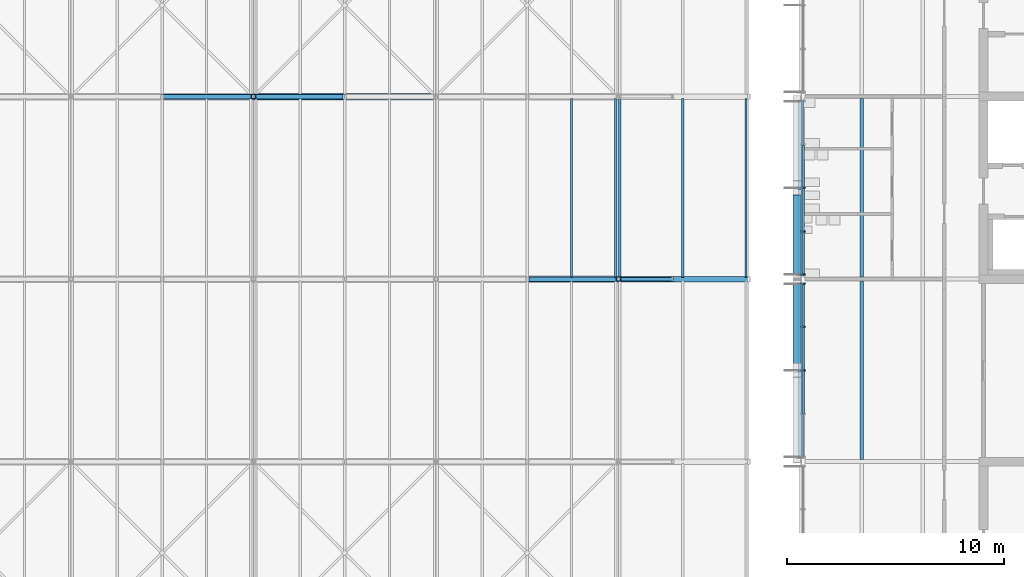
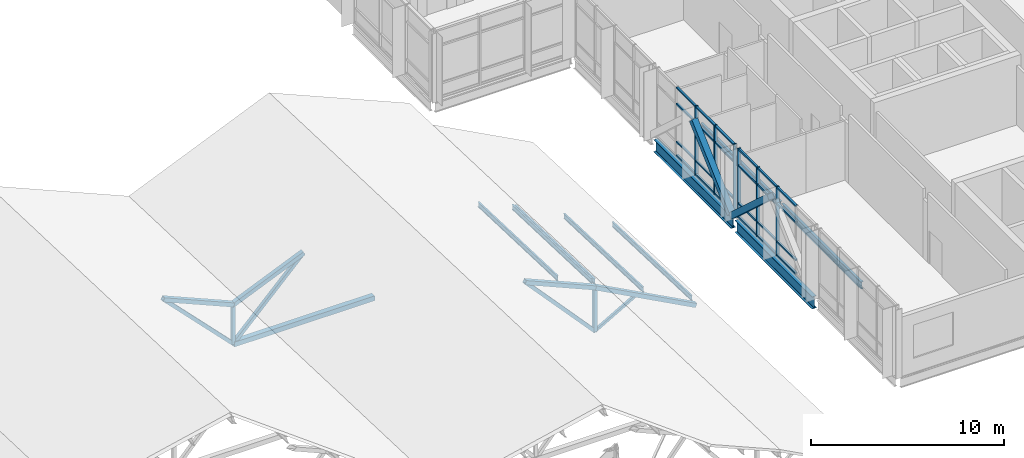
# One storey, part 16 of 76: 38 members, 14 beams, 2 elements without a shape of their own.
"""IFC4 building model written with IfcOpenShell, lengths in metres."""

from ifc_helpers import new_model, si_unit, direction, frame, origin, origin_2d, place, context, subcontext, project, spatial, rectangle, hollow_rectangle, i_section, extrude, material, material_profile, profile_set, type_object, element, aggregate, save


model = new_model("IFC4")

# Units and contexts
model_context = context("Model", 3, precision=1e-05, world=origin(), true_north=direction((0.0, 1.0)))
body_context = subcontext(model_context, "Body", "Model", "MODEL_VIEW")
ifc_project = project(units=[si_unit("LENGTHUNIT", "METRE"), si_unit("AREAUNIT", "SQUARE_METRE"), si_unit("VOLUMEUNIT", "CUBIC_METRE"), si_unit("PLANEANGLEUNIT", "RADIAN"), si_unit("MASSUNIT", "GRAM", prefix="KILO")], contexts=[model_context])

# Site, building, storey
site_placement = place(None, origin())
site = spatial("IfcSite", under=ifc_project, at=site_placement, CompositionType="ELEMENT")
building_placement = place(site_placement, origin())
building = spatial("IfcBuilding", under=site, at=building_placement, Name="Hlaing Beacon Police Headquarters", CompositionType="ELEMENT")
storey_placement = place(building_placement, frame((0.0, 0.0, 18.89990234375)))
storey = spatial("IfcBuildingStorey", under=building, at=storey_placement, Name="L04", CompositionType="ELEMENT", Elevation=18.89990234375)

# Members
ifc_material_1 = material(Name="Steel ASTM A500 Grade C", Category="steel")
ifc_material_profile_1 = material_profile(ifc_material_1, hollow_rectangle(XDim=0.355712890625, YDim=0.355712890625, WallThickness=0.015869140625, at=origin_2d()), Name="HSS14x14x5/8")
ifc_profile_set_1 = profile_set([ifc_material_profile_1], Name="Steel ASTM A500 Grade C")
member_type_1 = type_object("IfcMemberType", Name="Chevron brace HSS14x14x5/8", PredefinedType="BRACE", material=ifc_profile_set_1)
for number, where, z_axis, x_axis, name in (
    (1, (100.6181640625, 50.326904296875, 0.131103515625), (0.0, -0.738446730342, 0.674311816927), (1.0, 0.0, 0.0), "STR-BR-L04-N6b"),
    (2, (100.6181640625, 50.472900390625, 0.131103515625), (0.0, 0.738446730342, 0.674311816927), (-1.0, 0.0, 0.0), "STR-BR-L04-N7a"),
):
    element("IfcMember", number, at=place(storey_placement, frame(where, z_axis=z_axis, x_axis=x_axis)), inside=storey, type_object=member_type_1, Name=name, PredefinedType="BRACE", context=body_context, shape_type="SweptSolid", body=[
        extrude(hollow_rectangle(XDim=0.355712890625, YDim=0.355712890625, WallThickness=0.015869140625, at=origin_2d()), origin(), (0.0, 0.0, 1.0), 5.31787109375),
    ])
ifc_material_2 = material(Name="Steel ASTM A500 Grade C", Category="steel")
ifc_material_profile_2 = material_profile(ifc_material_2, hollow_rectangle(XDim=0.15234375, YDim=0.15234375, WallThickness=0.0126953125, at=origin_2d()), Name="HSS6x6x1/2")
ifc_profile_set_2 = profile_set([ifc_material_profile_2], Name="Steel ASTM A500 Grade C")
member_type_2 = type_object("IfcMemberType", Name="Eave strut HSS6x6x1/2", PredefinedType="BRACE", material=ifc_profile_set_2)
member_1_placement = place(storey_placement, frame((92.39990234375, 50.39990234375, -4.347412109375), z_axis=(0.866540389944, 0.0, 0.499106955067), x_axis=(0.0, 1.0, 0.0)))
element("IfcMember", 3, at=member_1_placement, inside=storey, type_object=member_type_2, Name="STR-RT-V1-T3-ST02", PredefinedType="BRACE", context=body_context, shape_type="SweptSolid", body=[
    extrude(hollow_rectangle(XDim=0.15234375, YDim=0.15234375, WallThickness=0.0126953125, at=origin_2d()), origin(), (0.0, 0.0, 1.0), 2.885009765625),
])

# Beams
ifc_material_3 = material(Name="Steel ASTM A992 Grade 50", Category="steel")
ifc_material_profile_3 = material_profile(ifc_material_3, i_section(OverallWidth=0.2666015625, OverallDepth=0.761962890625, WebThickness=0.014404296875, FlangeThickness=0.021484375, FilletRadius=0.0166015625, at=origin_2d()), Name="W30x116")
ifc_profile_set_3 = profile_set([ifc_material_profile_3], Name="Steel ASTM A992 Grade 50")
beam_type_1 = type_object("IfcBeamType", Name="Girder W30x116", PredefinedType="BEAM", material=ifc_profile_set_3)
beam_1_placement = place(storey_placement, frame((100.800048828125, 42.19091796875, -0.510986328125), z_axis=(0.0, 1.0, 0.0), x_axis=(-1.0, 0.0, 0.0)))
element("IfcBeam", 4, at=beam_1_placement, inside=storey, type_object=beam_type_1, Name="STR-BM-L04-GY-N6-N7", PredefinedType="BEAM", context=body_context, shape_type="SweptSolid", body=[
    extrude(i_section(OverallWidth=0.2666015625, OverallDepth=0.761962890625, WebThickness=0.014404296875, FlangeThickness=0.021484375, FilletRadius=0.0166015625, at=origin_2d()), origin(), (0.0, 0.0, 1.0), 8.01806640625),
])
beam_2_placement = place(storey_placement, frame((100.800048828125, 50.590087890625, -0.510986328125), z_axis=(0.0, 1.0, 0.0), x_axis=(-1.0, 0.0, 0.0)))
element("IfcBeam", 5, at=beam_2_placement, inside=storey, type_object=beam_type_1, Name="STR-BM-L04-GY-N7-N8", PredefinedType="BEAM", context=body_context, shape_type="SweptSolid", body=[
    extrude(i_section(OverallWidth=0.2666015625, OverallDepth=0.761962890625, WebThickness=0.014404296875, FlangeThickness=0.021484375, FilletRadius=0.0166015625, at=origin_2d()), origin(), (0.0, 0.0, 1.0), 8.018798828125),
])

# Curtain wall, members
ifc_material_4 = material(Name="Aluminium frame with solar control glazing", Category="aluminium")
curtain_wall_type = type_object("IfcCurtainWallType", Name="Unitised curtain wall 8.02 x 4.37", PredefinedType="NOTDEFINED", material=ifc_material_4)
curtain_wall_1_placement = place(storey_placement, origin())
curtain_wall_1 = element("IfcCurtainWall", 6, at=curtain_wall_1_placement, inside=storey, type_object=curtain_wall_type, Name="ENV-CW-L04-W020", PredefinedType="NOTDEFINED")
ifc_material_5 = material(Name="Aluminium", Category="aluminium")
ifc_material_profile_4 = material_profile(ifc_material_5, rectangle(XDim=0.199951171875, YDim=0.06005859375, at=origin_2d()), Name="Mullion 60x200")
ifc_profile_set_4 = profile_set([ifc_material_profile_4], Name="Aluminium")
member_type_3 = type_object("IfcMemberType", Name="Mullion 60x200", PredefinedType="MULLION", material=ifc_profile_set_4)
member_2_placement = place(storey_placement, frame((100.89990234375, 54.60009765625, 0.0), z_axis=(0.0, 0.0, 1.0), x_axis=(1.0, 0.0, 0.0)))
member_2 = element("IfcMember", 7, at=member_2_placement, type_object=member_type_3, Name="CW-L04-W020 mullion 3", PredefinedType="MULLION", context=body_context, shape_type="SweptSolid", body=[
    extrude(rectangle(XDim=0.199951171875, YDim=0.06005859375, at=origin_2d()), origin(), (0.0, 0.0, 1.0), 4.3701171875),
])
member_3_placement = place(storey_placement, frame((100.89990234375, 52.593994140625, 0.0), z_axis=(0.0, 0.0, 1.0), x_axis=(1.0, 0.0, 0.0)))
member_3 = element("IfcMember", 8, at=member_3_placement, type_object=member_type_3, Name="CW-L04-W020 mullion 4", PredefinedType="MULLION", context=body_context, shape_type="SweptSolid", body=[
    extrude(rectangle(XDim=0.199951171875, YDim=0.06005859375, at=origin_2d()), origin(), (0.0, 0.0, 1.0), 4.3701171875),
])
member_4_placement = place(storey_placement, frame((100.89990234375, 50.617919921875, 0.0), z_axis=(0.0, 0.0, 1.0), x_axis=(1.0, 0.0, 0.0)))
member_4 = element("IfcMember", 9, at=member_4_placement, type_object=member_type_3, Name="CW-L04-W020 mullion 5", PredefinedType="MULLION", context=body_context, shape_type="SweptSolid", body=[
    extrude(rectangle(XDim=0.199951171875, YDim=0.06005859375, at=origin_2d()), origin(), (0.0, 0.0, 1.0), 4.3701171875),
])

curtain_wall_2_placement = place(storey_placement, origin())
curtain_wall_2 = element("IfcCurtainWall", 10, at=curtain_wall_2_placement, inside=storey, type_object=curtain_wall_type, Name="ENV-CW-L04-W021", PredefinedType="NOTDEFINED")
member_5_placement = place(storey_placement, frame((100.89990234375, 50.181884765625, 0.0), z_axis=(0.0, 0.0, 1.0), x_axis=(1.0, 0.0, 0.0)))
member_5 = element("IfcMember", 11, at=member_5_placement, type_object=member_type_3, Name="CW-L04-W021 mullion 1", PredefinedType="MULLION", context=body_context, shape_type="SweptSolid", body=[
    extrude(rectangle(XDim=0.199951171875, YDim=0.06005859375, at=origin_2d()), origin(), (0.0, 0.0, 1.0), 4.3701171875),
])
member_6_placement = place(storey_placement, frame((100.89990234375, 48.2060546875, 0.0), z_axis=(0.0, 0.0, 1.0), x_axis=(1.0, 0.0, 0.0)))
member_6 = element("IfcMember", 12, at=member_6_placement, type_object=member_type_3, Name="CW-L04-W021 mullion 2", PredefinedType="MULLION", context=body_context, shape_type="SweptSolid", body=[
    extrude(rectangle(XDim=0.199951171875, YDim=0.06005859375, at=origin_2d()), origin(), (0.0, 0.0, 1.0), 4.3701171875),
])
member_7_placement = place(storey_placement, frame((100.89990234375, 46.199951171875, 0.0), z_axis=(0.0, 0.0, 1.0), x_axis=(1.0, 0.0, 0.0)))
member_7 = element("IfcMember", 13, at=member_7_placement, type_object=member_type_3, Name="CW-L04-W021 mullion 3", PredefinedType="MULLION", context=body_context, shape_type="SweptSolid", body=[
    extrude(rectangle(XDim=0.199951171875, YDim=0.06005859375, at=origin_2d()), origin(), (0.0, 0.0, 1.0), 4.3701171875),
])

# Beams
ifc_material_6 = material(Name="Steel ASTM A992 Grade 50", Category="steel")
ifc_material_profile_5 = material_profile(ifc_material_6, i_section(OverallWidth=0.102294921875, OverallDepth=0.3125, WebThickness=0.006591796875, FlangeThickness=0.0107421875, FilletRadius=0.007568359375, at=origin_2d()), Name="W12x22")
ifc_profile_set_5 = profile_set([ifc_material_profile_5], Name="Steel ASTM A992 Grade 50")
beam_type_2 = type_object("IfcBeamType", Name="Roof purlin W12x22", PredefinedType="BEAM", material=ifc_profile_set_5)
for number, where, z_axis, x_axis, name in (
    (14, (90.239990234375, 50.490478515625, -0.319091796875), (0.0, 0.999362135643, -0.035711648572), (-1.0, 0.0, 0.0), "STR-RT-V1-PR-R5-04-3"),
    (15, (92.27978515625, 50.490478515625, -1.193359375), (0.0, 0.999362135643, -0.035711648572), (-1.0, 0.0, 0.0), "STR-RT-V1-PR-R5-05-3"),
    (16, (92.461181640625, 50.490478515625, -1.28955078125), (0.0, 0.999362135643, -0.035711648572), (-1.0, 0.0, 0.0), "STR-RT-V1-PR-R6-01-3"),
    (17, (95.36474609375, 50.490478515625, -2.838134765625), (0.0, 0.999362135643, -0.035711648572), (-1.0, 0.0, 0.0), "STR-RT-V1-PR-R6-02-3"),
    (18, (98.268310546875, 50.490478515625, -4.38671875), (0.0, 0.999362135643, -0.035711648572), (-1.0, 0.0, 0.0), "STR-RT-V1-PR-R6-03-3"),
):
    element("IfcBeam", number, at=place(storey_placement, frame(where, z_axis=z_axis, x_axis=x_axis)), inside=storey, type_object=beam_type_2, Name=name, PredefinedType="BEAM", context=body_context, shape_type="SweptSolid", body=[
        extrude(i_section(OverallWidth=0.102294921875, OverallDepth=0.3125, WebThickness=0.006591796875, FlangeThickness=0.0107421875, FilletRadius=0.007568359375, at=origin_2d()), origin(), (0.0, 0.0, 1.0), 8.22412109375),
    ])
ifc_material_7 = material(Name="Steel ASTM A992 Grade 50", Category="steel")
ifc_material_profile_6 = material_profile(ifc_material_7, i_section(OverallWidth=0.15234375, OverallDepth=0.449462890625, WebThickness=0.007568359375, FlangeThickness=0.0107421875, FilletRadius=0.01025390625, at=origin_2d()), Name="W18x35")
ifc_profile_set_6 = profile_set([ifc_material_profile_6], Name="Steel ASTM A992 Grade 50")
beam_type_3 = type_object("IfcBeamType", Name="Secondary beam W18x35", PredefinedType="BEAM", material=ifc_profile_set_6)
for number, where, z_axis, x_axis, name in (
    (19, (103.60009765625, 42.089111328125, -0.354736328125), (0.0, 1.0, 0.0), (-1.0, 0.0, 0.0), "STR-BM-L04-SB-N6-y1"),
    (20, (103.60009765625, 50.489013671875, -0.354736328125), (0.0, 1.0, 0.0), (-1.0, 0.0, 0.0), "STR-BM-L04-SB-N7-y1"),
):
    element("IfcBeam", number, at=place(storey_placement, frame(where, z_axis=z_axis, x_axis=x_axis)), inside=storey, type_object=beam_type_3, Name=name, PredefinedType="BEAM", context=body_context, shape_type="SweptSolid", body=[
        extrude(i_section(OverallWidth=0.15234375, OverallDepth=0.449462890625, WebThickness=0.007568359375, FlangeThickness=0.0107421875, FilletRadius=0.01025390625, at=origin_2d()), origin(), (0.0, 0.0, 1.0), 8.221923828125),
    ])

# Member
ifc_material_8 = material(Name="Aluminium", Category="aluminium")
ifc_material_profile_7 = material_profile(ifc_material_8, rectangle(XDim=0.1201171875, YDim=0.10009765625, at=origin_2d()), Name="Transom 120x100")
ifc_profile_set_7 = profile_set([ifc_material_profile_7], Name="Aluminium")
member_type_4 = type_object("IfcMemberType", Name="Transom 120x100", PredefinedType="USERDEFINED", material=ifc_profile_set_7)
member_8_placement = place(storey_placement, frame((100.89990234375, 56.575927734375, 0.050048828125), z_axis=(0.0, -1.0, 0.0), x_axis=(1.0, 0.0, 0.0)))
member_8 = element("IfcMember", 21, at=member_8_placement, type_object=member_type_4, Name="CW-L04-W020 transom 2.1", ObjectType="TRANSOM", PredefinedType="USERDEFINED", context=body_context, shape_type="SweptSolid", body=[
    extrude(rectangle(XDim=0.1201171875, YDim=0.10009765625, at=origin_2d()), origin(), (0.0, 0.0, 1.0), 1.946044921875),
])

member_9_placement = place(storey_placement, frame((100.89990234375, 56.575927734375, 0.900146484375), z_axis=(0.0, -1.0, 0.0), x_axis=(1.0, 0.0, 0.0)))
member_9 = element("IfcMember", 22, at=member_9_placement, type_object=member_type_4, Name="CW-L04-W020 transom 2.2", ObjectType="TRANSOM", PredefinedType="USERDEFINED", context=body_context, shape_type="SweptSolid", body=[
    extrude(rectangle(XDim=0.1201171875, YDim=0.10009765625, at=origin_2d()), origin(), (0.0, 0.0, 1.0), 1.946044921875),
])

member_10_placement = place(storey_placement, frame((100.89990234375, 56.575927734375, 3.300048828125), z_axis=(0.0, -1.0, 0.0), x_axis=(1.0, 0.0, 0.0)))
member_10 = element("IfcMember", 23, at=member_10_placement, type_object=member_type_4, Name="CW-L04-W020 transom 2.3", ObjectType="TRANSOM", PredefinedType="USERDEFINED", context=body_context, shape_type="SweptSolid", body=[
    extrude(rectangle(XDim=0.1201171875, YDim=0.10009765625, at=origin_2d()), origin(), (0.0, 0.0, 1.0), 1.946044921875),
])

member_11_placement = place(storey_placement, frame((100.89990234375, 56.575927734375, 4.320068359375), z_axis=(0.0, -1.0, 0.0), x_axis=(1.0, 0.0, 0.0)))
member_11 = element("IfcMember", 24, at=member_11_placement, type_object=member_type_4, Name="CW-L04-W020 transom 2.4", ObjectType="TRANSOM", PredefinedType="USERDEFINED", context=body_context, shape_type="SweptSolid", body=[
    extrude(rectangle(XDim=0.1201171875, YDim=0.10009765625, at=origin_2d()), origin(), (0.0, 0.0, 1.0), 1.946044921875),
])

member_12_placement = place(storey_placement, frame((100.89990234375, 54.570068359375, 0.050048828125), z_axis=(0.0, -1.0, 0.0), x_axis=(1.0, 0.0, 0.0)))
member_12 = element("IfcMember", 25, at=member_12_placement, type_object=member_type_4, Name="CW-L04-W020 transom 3.1", ObjectType="TRANSOM", PredefinedType="USERDEFINED", context=body_context, shape_type="SweptSolid", body=[
    extrude(rectangle(XDim=0.1201171875, YDim=0.10009765625, at=origin_2d()), origin(), (0.0, 0.0, 1.0), 1.946044921875),
])

member_13_placement = place(storey_placement, frame((100.89990234375, 54.570068359375, 0.900146484375), z_axis=(0.0, -1.0, 0.0), x_axis=(1.0, 0.0, 0.0)))
member_13 = element("IfcMember", 26, at=member_13_placement, type_object=member_type_4, Name="CW-L04-W020 transom 3.2", ObjectType="TRANSOM", PredefinedType="USERDEFINED", context=body_context, shape_type="SweptSolid", body=[
    extrude(rectangle(XDim=0.1201171875, YDim=0.10009765625, at=origin_2d()), origin(), (0.0, 0.0, 1.0), 1.946044921875),
])

member_14_placement = place(storey_placement, frame((100.89990234375, 54.570068359375, 3.300048828125), z_axis=(0.0, -1.0, 0.0), x_axis=(1.0, 0.0, 0.0)))
member_14 = element("IfcMember", 27, at=member_14_placement, type_object=member_type_4, Name="CW-L04-W020 transom 3.3", ObjectType="TRANSOM", PredefinedType="USERDEFINED", context=body_context, shape_type="SweptSolid", body=[
    extrude(rectangle(XDim=0.1201171875, YDim=0.10009765625, at=origin_2d()), origin(), (0.0, 0.0, 1.0), 1.946044921875),
])

member_15_placement = place(storey_placement, frame((100.89990234375, 54.570068359375, 4.320068359375), z_axis=(0.0, -1.0, 0.0), x_axis=(1.0, 0.0, 0.0)))
member_15 = element("IfcMember", 28, at=member_15_placement, type_object=member_type_4, Name="CW-L04-W020 transom 3.4", ObjectType="TRANSOM", PredefinedType="USERDEFINED", context=body_context, shape_type="SweptSolid", body=[
    extrude(rectangle(XDim=0.1201171875, YDim=0.10009765625, at=origin_2d()), origin(), (0.0, 0.0, 1.0), 1.946044921875),
])

member_16_placement = place(storey_placement, frame((100.89990234375, 52.56396484375, 0.050048828125), z_axis=(0.0, -1.0, 0.0), x_axis=(1.0, 0.0, 0.0)))
member_16 = element("IfcMember", 29, at=member_16_placement, type_object=member_type_4, Name="CW-L04-W020 transom 4.1", ObjectType="TRANSOM", PredefinedType="USERDEFINED", context=body_context, shape_type="SweptSolid", body=[
    extrude(rectangle(XDim=0.1201171875, YDim=0.10009765625, at=origin_2d()), origin(), (0.0, 0.0, 1.0), 1.916015625),
])

member_17_placement = place(storey_placement, frame((100.89990234375, 52.56396484375, 0.900146484375), z_axis=(0.0, -1.0, 0.0), x_axis=(1.0, 0.0, 0.0)))
member_17 = element("IfcMember", 30, at=member_17_placement, type_object=member_type_4, Name="CW-L04-W020 transom 4.2", ObjectType="TRANSOM", PredefinedType="USERDEFINED", context=body_context, shape_type="SweptSolid", body=[
    extrude(rectangle(XDim=0.1201171875, YDim=0.10009765625, at=origin_2d()), origin(), (0.0, 0.0, 1.0), 1.916015625),
])

member_18_placement = place(storey_placement, frame((100.89990234375, 52.56396484375, 3.300048828125), z_axis=(0.0, -1.0, 0.0), x_axis=(1.0, 0.0, 0.0)))
member_18 = element("IfcMember", 31, at=member_18_placement, type_object=member_type_4, Name="CW-L04-W020 transom 4.3", ObjectType="TRANSOM", PredefinedType="USERDEFINED", context=body_context, shape_type="SweptSolid", body=[
    extrude(rectangle(XDim=0.1201171875, YDim=0.10009765625, at=origin_2d()), origin(), (0.0, 0.0, 1.0), 1.916015625),
])

member_19_placement = place(storey_placement, frame((100.89990234375, 52.56396484375, 4.320068359375), z_axis=(0.0, -1.0, 0.0), x_axis=(1.0, 0.0, 0.0)))
member_19 = element("IfcMember", 32, at=member_19_placement, type_object=member_type_4, Name="CW-L04-W020 transom 4.4", ObjectType="TRANSOM", PredefinedType="USERDEFINED", context=body_context, shape_type="SweptSolid", body=[
    extrude(rectangle(XDim=0.1201171875, YDim=0.10009765625, at=origin_2d()), origin(), (0.0, 0.0, 1.0), 1.916015625),
])

aggregate(curtain_wall_1, [member_2, member_3, member_4, member_8, member_9, member_10, member_11, member_12, member_13, member_14, member_15, member_16, member_17, member_18, member_19])

member_20_placement = place(storey_placement, frame((100.89990234375, 50.152099609375, 0.050048828125), z_axis=(0.0, -1.0, 0.0), x_axis=(1.0, 0.0, 0.0)))
member_20 = element("IfcMember", 33, at=member_20_placement, type_object=member_type_4, Name="CW-L04-W021 transom 1.1", ObjectType="TRANSOM", PredefinedType="USERDEFINED", context=body_context, shape_type="SweptSolid", body=[
    extrude(rectangle(XDim=0.1201171875, YDim=0.10009765625, at=origin_2d()), origin(), (0.0, 0.0, 1.0), 1.916015625),
])

member_21_placement = place(storey_placement, frame((100.89990234375, 50.152099609375, 0.900146484375), z_axis=(0.0, -1.0, 0.0), x_axis=(1.0, 0.0, 0.0)))
member_21 = element("IfcMember", 34, at=member_21_placement, type_object=member_type_4, Name="CW-L04-W021 transom 1.2", ObjectType="TRANSOM", PredefinedType="USERDEFINED", context=body_context, shape_type="SweptSolid", body=[
    extrude(rectangle(XDim=0.1201171875, YDim=0.10009765625, at=origin_2d()), origin(), (0.0, 0.0, 1.0), 1.916015625),
])

member_22_placement = place(storey_placement, frame((100.89990234375, 50.152099609375, 3.300048828125), z_axis=(0.0, -1.0, 0.0), x_axis=(1.0, 0.0, 0.0)))
member_22 = element("IfcMember", 35, at=member_22_placement, type_object=member_type_4, Name="CW-L04-W021 transom 1.3", ObjectType="TRANSOM", PredefinedType="USERDEFINED", context=body_context, shape_type="SweptSolid", body=[
    extrude(rectangle(XDim=0.1201171875, YDim=0.10009765625, at=origin_2d()), origin(), (0.0, 0.0, 1.0), 1.916015625),
])

member_23_placement = place(storey_placement, frame((100.89990234375, 50.152099609375, 4.320068359375), z_axis=(0.0, -1.0, 0.0), x_axis=(1.0, 0.0, 0.0)))
member_23 = element("IfcMember", 36, at=member_23_placement, type_object=member_type_4, Name="CW-L04-W021 transom 1.4", ObjectType="TRANSOM", PredefinedType="USERDEFINED", context=body_context, shape_type="SweptSolid", body=[
    extrude(rectangle(XDim=0.1201171875, YDim=0.10009765625, at=origin_2d()), origin(), (0.0, 0.0, 1.0), 1.916015625),
])

member_24_placement = place(storey_placement, frame((100.89990234375, 48.176025390625, 0.050048828125), z_axis=(0.0, -1.0, 0.0), x_axis=(1.0, 0.0, 0.0)))
member_24 = element("IfcMember", 37, at=member_24_placement, type_object=member_type_4, Name="CW-L04-W021 transom 2.1", ObjectType="TRANSOM", PredefinedType="USERDEFINED", context=body_context, shape_type="SweptSolid", body=[
    extrude(rectangle(XDim=0.1201171875, YDim=0.10009765625, at=origin_2d()), origin(), (0.0, 0.0, 1.0), 1.946044921875),
])

member_25_placement = place(storey_placement, frame((100.89990234375, 48.176025390625, 0.900146484375), z_axis=(0.0, -1.0, 0.0), x_axis=(1.0, 0.0, 0.0)))
member_25 = element("IfcMember", 38, at=member_25_placement, type_object=member_type_4, Name="CW-L04-W021 transom 2.2", ObjectType="TRANSOM", PredefinedType="USERDEFINED", context=body_context, shape_type="SweptSolid", body=[
    extrude(rectangle(XDim=0.1201171875, YDim=0.10009765625, at=origin_2d()), origin(), (0.0, 0.0, 1.0), 1.946044921875),
])

member_26_placement = place(storey_placement, frame((100.89990234375, 48.176025390625, 3.300048828125), z_axis=(0.0, -1.0, 0.0), x_axis=(1.0, 0.0, 0.0)))
member_26 = element("IfcMember", 39, at=member_26_placement, type_object=member_type_4, Name="CW-L04-W021 transom 2.3", ObjectType="TRANSOM", PredefinedType="USERDEFINED", context=body_context, shape_type="SweptSolid", body=[
    extrude(rectangle(XDim=0.1201171875, YDim=0.10009765625, at=origin_2d()), origin(), (0.0, 0.0, 1.0), 1.946044921875),
])

member_27_placement = place(storey_placement, frame((100.89990234375, 48.176025390625, 4.320068359375), z_axis=(0.0, -1.0, 0.0), x_axis=(1.0, 0.0, 0.0)))
member_27 = element("IfcMember", 40, at=member_27_placement, type_object=member_type_4, Name="CW-L04-W021 transom 2.4", ObjectType="TRANSOM", PredefinedType="USERDEFINED", context=body_context, shape_type="SweptSolid", body=[
    extrude(rectangle(XDim=0.1201171875, YDim=0.10009765625, at=origin_2d()), origin(), (0.0, 0.0, 1.0), 1.946044921875),
])

member_28_placement = place(storey_placement, frame((100.89990234375, 46.169921875, 0.050048828125), z_axis=(0.0, -1.0, 0.0), x_axis=(1.0, 0.0, 0.0)))
member_28 = element("IfcMember", 41, at=member_28_placement, type_object=member_type_4, Name="CW-L04-W021 transom 3.1", ObjectType="TRANSOM", PredefinedType="USERDEFINED", context=body_context, shape_type="SweptSolid", body=[
    extrude(rectangle(XDim=0.1201171875, YDim=0.10009765625, at=origin_2d()), origin(), (0.0, 0.0, 1.0), 1.94580078125),
])

member_29_placement = place(storey_placement, frame((100.89990234375, 46.169921875, 0.900146484375), z_axis=(0.0, -1.0, 0.0), x_axis=(1.0, 0.0, 0.0)))
member_29 = element("IfcMember", 42, at=member_29_placement, type_object=member_type_4, Name="CW-L04-W021 transom 3.2", ObjectType="TRANSOM", PredefinedType="USERDEFINED", context=body_context, shape_type="SweptSolid", body=[
    extrude(rectangle(XDim=0.1201171875, YDim=0.10009765625, at=origin_2d()), origin(), (0.0, 0.0, 1.0), 1.94580078125),
])

member_30_placement = place(storey_placement, frame((100.89990234375, 46.169921875, 3.300048828125), z_axis=(0.0, -1.0, 0.0), x_axis=(1.0, 0.0, 0.0)))
member_30 = element("IfcMember", 43, at=member_30_placement, type_object=member_type_4, Name="CW-L04-W021 transom 3.3", ObjectType="TRANSOM", PredefinedType="USERDEFINED", context=body_context, shape_type="SweptSolid", body=[
    extrude(rectangle(XDim=0.1201171875, YDim=0.10009765625, at=origin_2d()), origin(), (0.0, 0.0, 1.0), 1.94580078125),
])

member_31_placement = place(storey_placement, frame((100.89990234375, 46.169921875, 4.320068359375), z_axis=(0.0, -1.0, 0.0), x_axis=(1.0, 0.0, 0.0)))
member_31 = element("IfcMember", 44, at=member_31_placement, type_object=member_type_4, Name="CW-L04-W021 transom 3.4", ObjectType="TRANSOM", PredefinedType="USERDEFINED", context=body_context, shape_type="SweptSolid", body=[
    extrude(rectangle(XDim=0.1201171875, YDim=0.10009765625, at=origin_2d()), origin(), (0.0, 0.0, 1.0), 1.94580078125),
])

aggregate(curtain_wall_2, [member_5, member_6, member_7, member_20, member_21, member_22, member_23, member_24, member_25, member_26, member_27, member_28, member_29, member_30, member_31])

# Beam
ifc_material_9 = material(Name="Steel ASTM A500 Grade C", Category="steel")
ifc_material_profile_8 = material_profile(ifc_material_9, hollow_rectangle(XDim=0.3046875, YDim=0.3046875, WallThickness=0.015869140625, at=origin_2d()), Name="HSS12x12x5/8")
ifc_profile_set_8 = profile_set([ifc_material_profile_8], Name="Steel ASTM A500 Grade C")
beam_type_4 = type_object("IfcBeamType", Name="Truss bottom chord HSS12x12x5/8", PredefinedType="BEAM", material=ifc_profile_set_8)
beam_3_placement = place(storey_placement, frame((75.60009765625, 58.800048828125, -4.347412109375), z_axis=(1.0, 0.0, 0.0), x_axis=(0.0, 1.0, 0.0)))
element("IfcBeam", 45, at=beam_3_placement, inside=storey, type_object=beam_type_4, Name="STR-RT-V1-T4-BC03", PredefinedType="BEAM", context=body_context, shape_type="SweptSolid", body=[
    extrude(hollow_rectangle(XDim=0.3046875, YDim=0.3046875, WallThickness=0.015869140625, at=origin_2d()), origin(), (0.0, 0.0, 1.0), 8.39990234375),
])

# Members
ifc_material_10 = material(Name="Steel ASTM A500 Grade C", Category="steel")
ifc_material_profile_9 = material_profile(ifc_material_10, hollow_rectangle(XDim=0.203125, YDim=0.203125, WallThickness=0.015869140625, at=origin_2d()), Name="HSS8x8x5/8")
ifc_profile_set_9 = profile_set([ifc_material_profile_9], Name="Steel ASTM A500 Grade C")
member_type_5 = type_object("IfcMemberType", Name="Truss post HSS8x8x5/8", PredefinedType="POST", material=ifc_profile_set_9)
member_32_placement = place(storey_placement, frame((92.39990234375, 50.39990234375, -4.347412109375), z_axis=(0.0, 0.0, 1.0), x_axis=(1.0, 0.0, 0.0)))
element("IfcMember", 46, at=member_32_placement, inside=storey, type_object=member_type_5, Name="STR-RT-V1-T3-PS05", PredefinedType="POST", context=body_context, shape_type="SweptSolid", body=[
    extrude(hollow_rectangle(XDim=0.203125, YDim=0.203125, WallThickness=0.015869140625, at=origin_2d()), origin(), (0.0, 0.0, 1.0), 2.778076171875),
])
member_33_placement = place(storey_placement, frame((75.60009765625, 58.800048828125, -4.347412109375), z_axis=(0.0, 0.0, 1.0), x_axis=(1.0, 0.0, 0.0)))
element("IfcMember", 47, at=member_33_placement, inside=storey, type_object=member_type_5, Name="STR-RT-V1-T4-PS03", PredefinedType="POST", context=body_context, shape_type="SweptSolid", body=[
    extrude(hollow_rectangle(XDim=0.203125, YDim=0.203125, WallThickness=0.015869140625, at=origin_2d()), origin(), (0.0, 0.0, 1.0), 2.48974609375),
])

# Beams
ifc_material_11 = material(Name="Steel ASTM A500 Grade C", Category="steel")
ifc_material_profile_10 = material_profile(ifc_material_11, hollow_rectangle(XDim=0.25390625, YDim=0.25390625, WallThickness=0.015869140625, at=origin_2d()), Name="HSS10x10x5/8")
ifc_profile_set_10 = profile_set([ifc_material_profile_10], Name="Steel ASTM A500 Grade C")
beam_type_5 = type_object("IfcBeamType", Name="Truss top chord HSS10x10x5/8", PredefinedType="BEAM", material=ifc_profile_set_10)
beam_4_placement = place(storey_placement, frame((88.199951171875, 50.39990234375, 0.242431640625), z_axis=(0.918209309702, 0.0, -0.396095523298), x_axis=(0.0, 1.0, 0.0)))
element("IfcBeam", 48, at=beam_4_placement, inside=storey, type_object=beam_type_5, Name="STR-RT-V1-T3-TC09", PredefinedType="BEAM", context=body_context, shape_type="SweptSolid", body=[
    extrude(hollow_rectangle(XDim=0.25390625, YDim=0.25390625, WallThickness=0.015869140625, at=origin_2d()), origin(), (0.0, 0.0, 1.0), 4.573974609375),
])
beam_5_placement = place(storey_placement, frame((92.39990234375, 50.39990234375, -1.5693359375), z_axis=(0.881639912586, 0.0, -0.47192273153), x_axis=(0.0, 1.0, 0.0)))
element("IfcBeam", 49, at=beam_5_placement, inside=storey, type_object=beam_type_5, Name="STR-RT-V1-T3-TC10", PredefinedType="BEAM", context=body_context, shape_type="SweptSolid", body=[
    extrude(hollow_rectangle(XDim=0.25390625, YDim=0.25390625, WallThickness=0.015869140625, at=origin_2d()), origin(), (0.0, 0.0, 1.0), 6.805419921875),
])
beam_6_placement = place(storey_placement, frame((71.39990234375, 58.800048828125, -0.0576171875), z_axis=(0.91914779343, 0.0, -0.393912850556), x_axis=(0.0, 1.0, 0.0)))
element("IfcBeam", 50, at=beam_6_placement, inside=storey, type_object=beam_type_5, Name="STR-RT-V1-T4-TC05", PredefinedType="BEAM", context=body_context, shape_type="SweptSolid", body=[
    extrude(hollow_rectangle(XDim=0.25390625, YDim=0.25390625, WallThickness=0.015869140625, at=origin_2d()), origin(), (0.0, 0.0, 1.0), 4.569580078125),
])
beam_7_placement = place(storey_placement, frame((75.60009765625, 58.800048828125, -1.857666015625), z_axis=(0.919139502787, 0.0, 0.393932195201), x_axis=(0.0, 1.0, 0.0)))
element("IfcBeam", 51, at=beam_7_placement, inside=storey, type_object=beam_type_5, Name="STR-RT-V1-T4-TC06", PredefinedType="BEAM", context=body_context, shape_type="SweptSolid", body=[
    extrude(hollow_rectangle(XDim=0.25390625, YDim=0.25390625, WallThickness=0.015869140625, at=origin_2d()), origin(), (0.0, 0.0, 1.0), 4.5693359375),
])

# Members
ifc_material_12 = material(Name="Steel ASTM A500 Grade C", Category="steel")
ifc_material_profile_11 = material_profile(ifc_material_12, hollow_rectangle(XDim=0.203125, YDim=0.203125, WallThickness=0.0126953125, at=origin_2d()), Name="HSS8x8x1/2")
ifc_profile_set_11 = profile_set([ifc_material_profile_11], Name="Steel ASTM A500 Grade C")
member_type_6 = type_object("IfcMemberType", Name="Truss web HSS8x8x1/2", PredefinedType="BRACE", material=ifc_profile_set_11)
member_34_placement = place(storey_placement, frame((88.199951171875, 50.39990234375, 0.242431640625), z_axis=(0.675077544232, 0.0, -0.737746778559), x_axis=(0.0, 1.0, 0.0)))
element("IfcMember", 52, at=member_34_placement, inside=storey, type_object=member_type_6, Name="STR-RT-V1-T3-DG08", PredefinedType="BRACE", context=body_context, shape_type="SweptSolid", body=[
    extrude(hollow_rectangle(XDim=0.203125, YDim=0.203125, WallThickness=0.0126953125, at=origin_2d()), origin(), (0.0, 0.0, 1.0), 6.221435546875),
])
member_35_placement = place(storey_placement, frame((71.39990234375, 58.800048828125, -0.0576171875), z_axis=(0.699605329245, 0.0, -0.714529483851), x_axis=(0.0, 1.0, 0.0)))
element("IfcMember", 53, at=member_35_placement, inside=storey, type_object=member_type_6, Name="STR-RT-V1-T4-DG04", PredefinedType="BRACE", context=body_context, shape_type="SweptSolid", body=[
    extrude(hollow_rectangle(XDim=0.203125, YDim=0.203125, WallThickness=0.0126953125, at=origin_2d()), origin(), (0.0, 0.0, 1.0), 6.003662109375),
])
member_36_placement = place(storey_placement, frame((75.60009765625, 58.800048828125, -4.347412109375), z_axis=(0.699584566608, 0.0, 0.714549812234), x_axis=(0.0, 1.0, 0.0)))
element("IfcMember", 54, at=member_36_placement, inside=storey, type_object=member_type_6, Name="STR-RT-V1-T4-DG05", PredefinedType="BRACE", context=body_context, shape_type="SweptSolid", body=[
    extrude(hollow_rectangle(XDim=0.203125, YDim=0.203125, WallThickness=0.0126953125, at=origin_2d()), origin(), (0.0, 0.0, 1.0), 6.00341796875),
])

save(model, "model.ifc")
